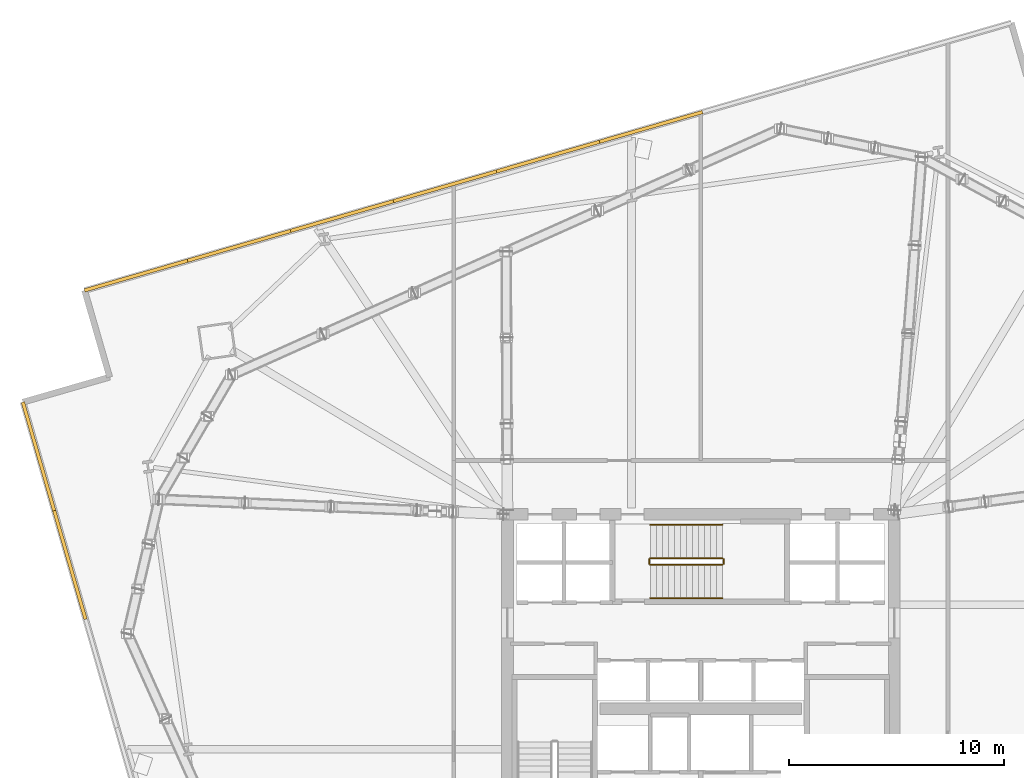
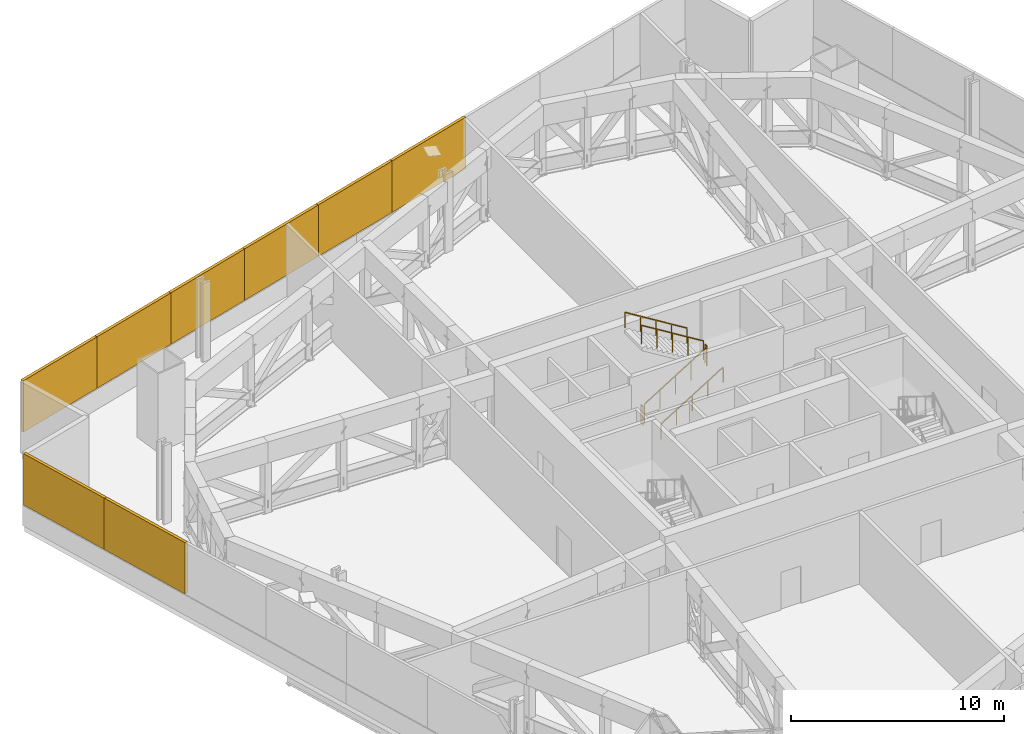
# One storey, part 18 of 19: 8 shading devices, 6 railings.
"""IFC4 building model written with IfcOpenShell, lengths in metres."""

from ifc_helpers import new_model, si_unit, direction, frame, origin, origin_2d, place, context, subcontext, project, spatial, rectangle, extrude, source, transform, mapped, material, layer, layer_set, type_object, element, save


model = new_model("IFC4")

# Units and contexts
model_context = context("Model", 3, precision=1e-05, world=origin(), true_north=direction((0.0, 1.0)))
body_context = subcontext(model_context, "Body", "Model", "MODEL_VIEW")
ifc_project = project(units=[si_unit("LENGTHUNIT", "METRE"), si_unit("AREAUNIT", "SQUARE_METRE"), si_unit("VOLUMEUNIT", "CUBIC_METRE"), si_unit("PLANEANGLEUNIT", "RADIAN"), si_unit("MASSUNIT", "GRAM", prefix="KILO")], contexts=[model_context])

# Site, building, storey
site_placement = place(None, origin())
site = spatial("IfcSite", under=ifc_project, at=site_placement, CompositionType="ELEMENT")
building_placement = place(site_placement, origin())
building = spatial("IfcBuilding", under=site, at=building_placement, Name="Haldenkirk Collegiate Tower", CompositionType="ELEMENT")
storey_placement = place(building_placement, frame((0.0, 0.0, 81.449951171875)))
storey = spatial("IfcBuildingStorey", under=building, at=storey_placement, Name="L19", CompositionType="ELEMENT", Elevation=81.449951171875)

# Railings
ifc_material_1 = material(Name="Painted architectural tubular steel", Category="steel")
railing_type_1 = type_object("IfcRailingType", Name="RLG-STAIR-GUARD-1100", PredefinedType="BALUSTRADE", material=ifc_material_1)
railing_1_placement = place(storey_placement, frame((33.64990234375, 31.64990234375, 0.173095703125)))
element("IfcRailing", 1, at=railing_1_placement, inside=storey, type_object=railing_type_1, Name="L19 ST-3 stair guard 1", PredefinedType="BALUSTRADE", context=body_context, shape_type="SweptSolid", body=[
    extrude(rectangle(XDim=0.048095703125, YDim=0.048095703125, at=origin_2d()), frame((0.0, 0.0, 1.076171875), z_axis=(0.850623216509, 0.0, 0.525775754039), x_axis=(0.0, 1.0, 0.0)), (0.0, 0.0, 1.0), 3.9501953125),
    extrude(rectangle(XDim=0.0419921875, YDim=0.0419921875, at=origin_2d()), origin(), (0.0, 0.0, 1.0), 1.052001953125),
    extrude(rectangle(XDim=0.0419921875, YDim=0.0419921875, at=origin_2d()), frame((0.840087890625, 0.0, 0.519287109375)), (0.0, 0.0, 1.0), 1.052001953125),
    extrude(rectangle(XDim=0.0419921875, YDim=0.0419921875, at=origin_2d()), frame((1.68017578125, 0.0, 1.03857421875)), (0.0, 0.0, 1.0), 1.052001953125),
    extrude(rectangle(XDim=0.0419921875, YDim=0.0419921875, at=origin_2d()), frame((2.52001953125, 0.0, 1.5576171875)), (0.0, 0.0, 1.0), 1.052001953125),
    extrude(rectangle(XDim=0.0419921875, YDim=0.0419921875, at=origin_2d()), frame((3.360107421875, 0.0, 2.076904296875)), (0.0, 0.0, 1.0), 1.052001953125),
])
railing_2_placement = place(storey_placement, frame((37.06005859375, 31.699951171875, 2.25)))
element("IfcRailing", 2, at=railing_2_placement, inside=storey, type_object=railing_type_1, Name="L19 ST-3 stair guard 2", PredefinedType="BALUSTRADE", context=body_context, shape_type="SweptSolid", body=[
    extrude(rectangle(XDim=0.048095703125, YDim=0.048095703125, at=origin_2d()), frame((0.0, 0.0, 1.076171875), z_axis=(0.0, 1.0, 0.0), x_axis=(-1.0, 0.0, 0.0)), (0.0, 0.0, 1.0), 0.199951171875),
    extrude(rectangle(XDim=0.0419921875, YDim=0.0419921875, at=origin_2d()), origin(), (0.0, 0.0, 1.0), 1.052001953125),
    extrude(rectangle(XDim=0.0419921875, YDim=0.0419921875, at=origin_2d()), frame((0.0, 0.199951171875, 0.0)), (0.0, 0.0, 1.0), 1.052001953125),
])
railing_3_placement = place(storey_placement, frame((37.010009765625, 31.949951171875, 2.423095703125)))
element("IfcRailing", 3, at=railing_3_placement, inside=storey, type_object=railing_type_1, Name="L19 ST-3 stair guard 3", PredefinedType="BALUSTRADE", context=body_context, shape_type="SweptSolid", body=[
    extrude(rectangle(XDim=0.048095703125, YDim=0.048095703125, at=origin_2d()), frame((0.0, 0.0, 1.076171875), z_axis=(-0.850623216509, 0.0, 0.525775754039), x_axis=(0.0, -1.0, 0.0)), (0.0, 0.0, 1.0), 3.9501953125),
    extrude(rectangle(XDim=0.0419921875, YDim=0.0419921875, at=origin_2d()), origin(), (0.0, 0.0, 1.0), 1.052001953125),
    extrude(rectangle(XDim=0.0419921875, YDim=0.0419921875, at=origin_2d()), frame((-0.840087890625, 0.0, 0.519287109375)), (0.0, 0.0, 1.0), 1.052001953125),
    extrude(rectangle(XDim=0.0419921875, YDim=0.0419921875, at=origin_2d()), frame((-1.68017578125, 0.0, 1.03857421875)), (0.0, 0.0, 1.0), 1.052001953125),
    extrude(rectangle(XDim=0.0419921875, YDim=0.0419921875, at=origin_2d()), frame((-2.52001953125, 0.0, 1.5576171875)), (0.0, 0.0, 1.0), 1.052001953125),
    extrude(rectangle(XDim=0.0419921875, YDim=0.0419921875, at=origin_2d()), frame((-3.360107421875, 0.0, 2.076904296875)), (0.0, 0.0, 1.0), 1.052001953125),
])
railing_4_placement = place(storey_placement, frame((33.60009765625, 31.699951171875, 0.0)))
element("IfcRailing", 4, at=railing_4_placement, inside=storey, type_object=railing_type_1, Name="L19 ST-3 stair guard 4", PredefinedType="BALUSTRADE", context=body_context, shape_type="SweptSolid", body=[
    extrude(rectangle(XDim=0.048095703125, YDim=0.048095703125, at=origin_2d()), frame((0.0, 0.0, 1.076171875), z_axis=(0.0, 1.0, 0.0), x_axis=(-1.0, 0.0, 0.0)), (0.0, 0.0, 1.0), 0.199951171875),
    extrude(rectangle(XDim=0.0419921875, YDim=0.0419921875, at=origin_2d()), origin(), (0.0, 0.0, 1.0), 1.052001953125),
    extrude(rectangle(XDim=0.0419921875, YDim=0.0419921875, at=origin_2d()), frame((0.0, 0.199951171875, 0.0)), (0.0, 0.0, 1.0), 1.052001953125),
])
railing_type_2 = type_object("IfcRailingType", Name="RLG-STAIR-HANDRAIL-900", PredefinedType="HANDRAIL", material=ifc_material_1)
railing_5_placement = place(storey_placement, frame((33.64990234375, 30.10009765625, 0.173095703125)))
element("IfcRailing", 5, at=railing_5_placement, inside=storey, type_object=railing_type_2, Name="L19 ST-3 stair handrail 1", PredefinedType="HANDRAIL", context=body_context, shape_type="SweptSolid", body=[
    extrude(rectangle(XDim=0.048095703125, YDim=0.048095703125, at=origin_2d()), frame((0.0, 0.0, 0.8759765625), z_axis=(0.850623216509, 0.0, 0.525775754039), x_axis=(0.0, 1.0, 0.0)), (0.0, 0.0, 1.0), 3.9501953125),
    extrude(rectangle(XDim=0.0419921875, YDim=0.0419921875, at=origin_2d()), origin(), (0.0, 0.0, 1.0), 0.851806640625),
    extrude(rectangle(XDim=0.0419921875, YDim=0.0419921875, at=origin_2d()), frame((0.840087890625, 0.0, 0.519287109375)), (0.0, 0.0, 1.0), 0.851806640625),
    extrude(rectangle(XDim=0.0419921875, YDim=0.0419921875, at=origin_2d()), frame((1.68017578125, 0.0, 1.03857421875)), (0.0, 0.0, 1.0), 0.851806640625),
    extrude(rectangle(XDim=0.0419921875, YDim=0.0419921875, at=origin_2d()), frame((2.52001953125, 0.0, 1.5576171875)), (0.0, 0.0, 1.0), 0.851806640625),
    extrude(rectangle(XDim=0.0419921875, YDim=0.0419921875, at=origin_2d()), frame((3.360107421875, 0.0, 2.076904296875)), (0.0, 0.0, 1.0), 0.851806640625),
])
railing_6_placement = place(storey_placement, frame((37.010009765625, 33.5, 2.423095703125)))
element("IfcRailing", 6, at=railing_6_placement, inside=storey, type_object=railing_type_2, Name="L19 ST-3 stair handrail 2", PredefinedType="HANDRAIL", context=body_context, shape_type="SweptSolid", body=[
    extrude(rectangle(XDim=0.048095703125, YDim=0.048095703125, at=origin_2d()), frame((0.0, 0.0, 0.8759765625), z_axis=(-0.850623216509, 0.0, 0.525775754039), x_axis=(0.0, -1.0, 0.0)), (0.0, 0.0, 1.0), 3.9501953125),
    extrude(rectangle(XDim=0.0419921875, YDim=0.0419921875, at=origin_2d()), origin(), (0.0, 0.0, 1.0), 0.851806640625),
    extrude(rectangle(XDim=0.0419921875, YDim=0.0419921875, at=origin_2d()), frame((-0.840087890625, 0.0, 0.519287109375)), (0.0, 0.0, 1.0), 0.851806640625),
    extrude(rectangle(XDim=0.0419921875, YDim=0.0419921875, at=origin_2d()), frame((-1.68017578125, 0.0, 1.03857421875)), (0.0, 0.0, 1.0), 0.851806640625),
    extrude(rectangle(XDim=0.0419921875, YDim=0.0419921875, at=origin_2d()), frame((-2.52001953125, 0.0, 1.5576171875)), (0.0, 0.0, 1.0), 0.851806640625),
    extrude(rectangle(XDim=0.0419921875, YDim=0.0419921875, at=origin_2d()), frame((-3.360107421875, 0.0, 2.076904296875)), (0.0, 0.0, 1.0), 0.851806640625),
])

# Shading devices
ifc_material_2 = material(Name="Anodised architectural bronze aluminium", Category="aluminium")
ifc_layer = layer(ifc_material_2, 0.139892578125)
ifc_layer_set = layer_set([ifc_layer], Name="Anodised architectural bronze aluminium")
shading_device_type = type_object("IfcShadingDeviceType", Name="SHD-LOUVRE-CROWN", PredefinedType="JALOUSIE", material=ifc_layer_set)
shared_shape_1 = source(origin(), body_context, "Body", "SweptSolid", [
    extrude(rectangle(XDim=5.259521484375, YDim=0.159912109375, at=origin_2d()), origin(), (0.0, 0.0, 1.0), 2.93994140625),
])
for number, where, z_axis, x_axis, name in (
    (7, (6.634521484375, 31.638671875, 1.150146484375), (0.0, 0.0, 1.0), (-0.277314653302, 0.960779154158, 0.0), "L19 mechanical intake louvre screen W7"),
    (8, (5.176025390625, 36.691650390625, 1.150146484375), (0.0, 0.0, 1.0), (-0.277314653302, 0.960779154158, 0.0), "L19 mechanical intake louvre screen W8"),
):
    element("IfcShadingDevice", number, at=place(storey_placement, frame(where, z_axis=z_axis, x_axis=x_axis)), inside=storey, type_object=shading_device_type, Name=name, PredefinedType="JALOUSIE", context=body_context, shape_type="MappedRepresentation", body=[
        mapped(shared_shape_1, transform((0.0, 0.0, 0.0), x_axis=(1.0, 0.0, 0.0), y_axis=(0.0, 1.0, 0.0), z_axis=(0.0, 0.0, 1.0), scale=1.0)),
    ])
shared_shape_2 = source(origin(), body_context, "Body", "SweptSolid", [
    extrude(rectangle(XDim=4.989013671875, YDim=0.159912109375, at=origin_2d()), origin(), (0.0, 0.0, 1.0), 2.93994140625),
])
for number, where, z_axis, x_axis, name in (
    (9, (9.714111328125, 45.110107421875, 1.150146484375), (0.0, 0.0, 1.0), (0.960779154158, 0.277314653302, 0.0), "L19 mechanical intake louvre screen N1"),
    (10, (14.507080078125, 46.493408203125, 1.150146484375), (0.0, 0.0, 1.0), (0.960779154158, 0.277314653302, 0.0), "L19 mechanical intake louvre screen N2"),
    (11, (19.300537109375, 47.876953125, 1.150146484375), (0.0, 0.0, 1.0), (0.960779154158, 0.277314653302, 0.0), "L19 mechanical intake louvre screen N3"),
    (12, (24.09375, 49.260498046875, 1.150146484375), (0.0, 0.0, 1.0), (0.960779154158, 0.277314653302, 0.0), "L19 mechanical intake louvre screen N4"),
    (13, (28.886962890625, 50.64404296875, 1.150146484375), (0.0, 0.0, 1.0), (0.960779154158, 0.277314653302, 0.0), "L19 mechanical intake louvre screen N5"),
    (14, (33.68017578125, 52.027587890625, 1.150146484375), (0.0, 0.0, 1.0), (0.960779154158, 0.277314653302, 0.0), "L19 mechanical intake louvre screen N6"),
):
    element("IfcShadingDevice", number, at=place(storey_placement, frame(where, z_axis=z_axis, x_axis=x_axis)), inside=storey, type_object=shading_device_type, Name=name, PredefinedType="JALOUSIE", context=body_context, shape_type="MappedRepresentation", body=[
        mapped(shared_shape_2, transform((0.0, 0.0, 0.0), x_axis=(1.0, 0.0, 0.0), y_axis=(0.0, 1.0, 0.0), z_axis=(0.0, 0.0, 1.0), scale=1.0)),
    ])

save(model, "model.ifc")
